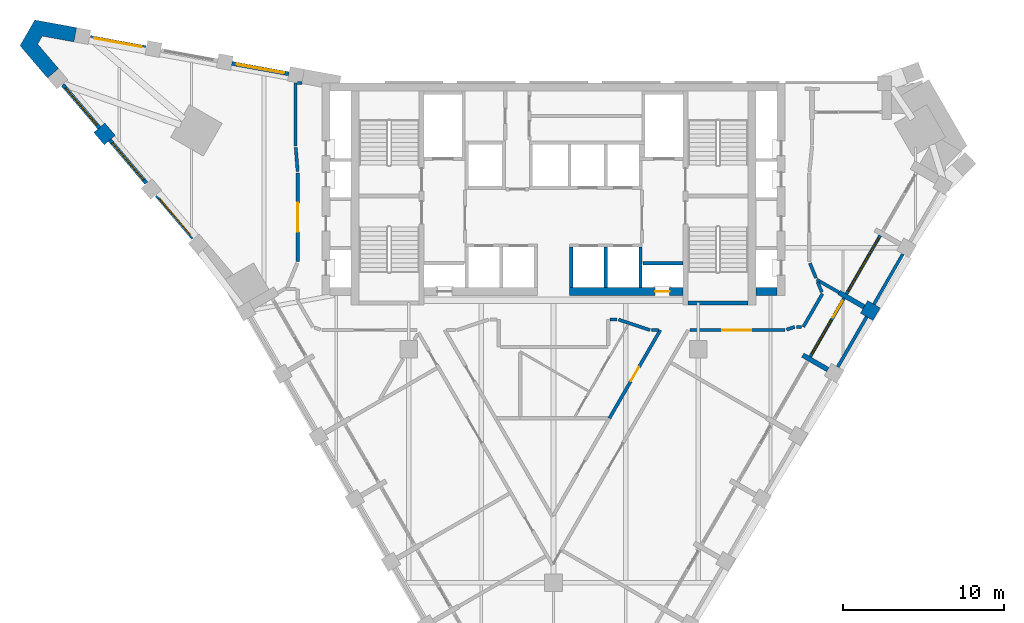
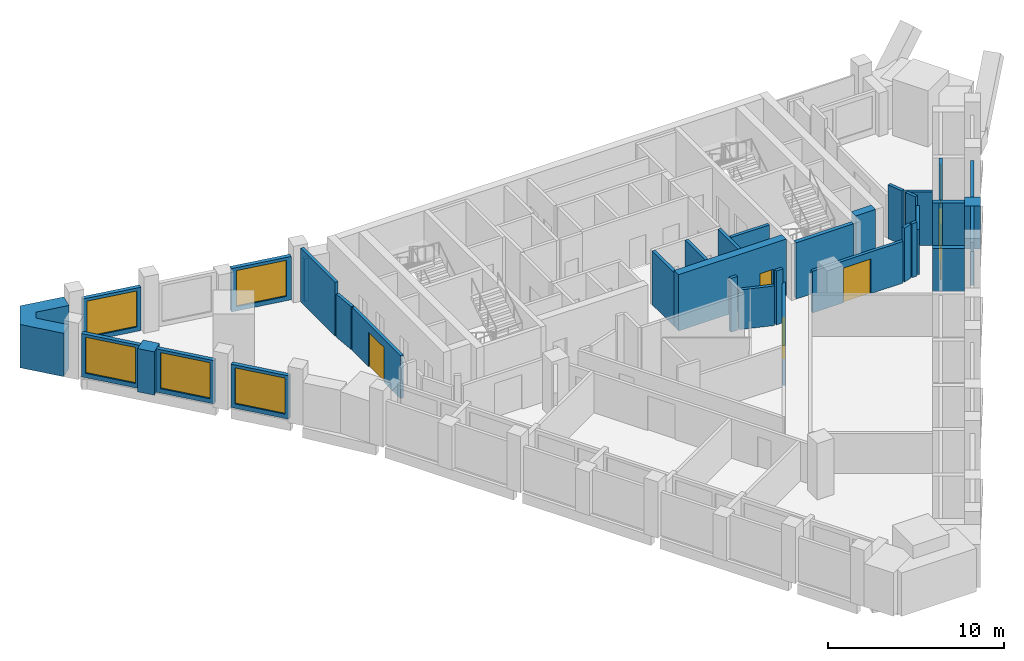
# One storey, part 5 of 9: 36 walls, 7 windows, 5 doors, 12 openings.
"""IFC4 building model written with IfcOpenShell, lengths in metres."""

from ifc_helpers import new_model, si_unit, direction, frame, frame_2d, origin, place, context, subcontext, project, spatial, polyline, rectangle, outline, extrude, material, layer, layer_set, type_object, element, fill, save


model = new_model("IFC4")

# Units and contexts
model_context = context("Model", 3, precision=1e-05, world=origin(), true_north=direction((0.0, 1.0)))
body_context = subcontext(model_context, "Body", "Model", "MODEL_VIEW")
ifc_project = project(units=[si_unit("LENGTHUNIT", "METRE"), si_unit("AREAUNIT", "SQUARE_METRE"), si_unit("VOLUMEUNIT", "CUBIC_METRE"), si_unit("PLANEANGLEUNIT", "RADIAN"), si_unit("MASSUNIT", "GRAM", prefix="KILO")], contexts=[model_context])

# Site, building, storey
site_placement = place(None, origin())
site = spatial("IfcSite", under=ifc_project, at=site_placement, CompositionType="ELEMENT")
building_placement = place(site_placement, origin())
building = spatial("IfcBuilding", under=site, at=building_placement, Name="Calabash Gate Tower", CompositionType="ELEMENT")
storey_placement = place(building_placement, frame((0.0, 0.0, 231.5)))
storey = spatial("IfcBuildingStorey", under=building, at=storey_placement, Name="L55", CompositionType="ELEMENT", Elevation=231.5)

# Walls
ifc_material_1 = material(Name="Terracotta brick masonry, exposed face", Category="masonry")
ifc_layer_1 = layer(ifc_material_1, 0.89990234375)
ifc_layer_set_1 = layer_set([ifc_layer_1], Name="Brick end wall 900")
wall_type_1 = type_object("IfcWallType", Name="Brick end wall 900", PredefinedType="SOLIDWALL", material=ifc_layer_set_1)
wall_1_placement = place(storey_placement, frame((19.306396484375, 5.14013671875, 0.0), z_axis=(0.0, 0.0, 1.0), x_axis=(0.865896406789, -0.500223362819, 0.0)))
element("IfcWall", 1, at=wall_1_placement, inside=storey, type_object=wall_type_1, Name="Brick pier S16 SE2.7", PredefinedType="SOLIDWALL", context=body_context, shape_type="SweptSolid", body=[
    extrude(rectangle(XDim=0.89990234375, YDim=0.89990234375, at=frame_2d((0.449951171875, 0.0))), origin(), (0.0, 0.0, 1.0), 3.0),
])
wall_2_placement = place(storey_placement, frame((-27.587890625, 15.511474609375, 0.0), z_axis=(0.0, 0.0, 1.0), x_axis=(-0.647641360564, 0.761945318305, 0.0)))
element("IfcWall", 2, at=wall_2_placement, inside=storey, type_object=wall_type_1, Name="Brick pier S16 wedge7.1", PredefinedType="SOLIDWALL", context=body_context, shape_type="SweptSolid", body=[
    extrude(rectangle(XDim=1.00390625, YDim=0.89990234375, at=frame_2d((0.501953125, 0.0))), origin(), (0.0, 0.0, 1.0), 3.0),
])
wall_3_placement = place(storey_placement, origin())
element("IfcWall", 3, at=wall_3_placement, inside=storey, type_object=wall_type_1, Name="Brick end wall S16 2", PredefinedType="SOLIDWALL", context=body_context, shape_type="SweptSolid", body=[
    extrude(outline(polyline([(-31.784423828125, 21.978759765625), (-29.816650390625, 21.618896484375), (-29.654541015625, 22.504150390625), (-32.24658203125, 22.978271484375), (-33.168701171875, 21.38134765625), (-31.4619140625, 19.373779296875), (-30.776123046875, 19.956787109375), (-32.072021484375, 21.48095703125), (-31.784423828125, 21.978759765625)])), origin(), (0.0, 0.0, 1.0), 3.0),
])
ifc_material_2 = material(Name="Terracotta brick masonry, exposed face", Category="masonry")
ifc_layer_2 = layer(ifc_material_2, 0.300048828125)
ifc_layer_set_2 = layer_set([ifc_layer_2], Name="Brick loggia cheek wall 300")
wall_type_2 = type_object("IfcWallType", Name="Brick loggia cheek wall 300", PredefinedType="SOLIDWALL", material=ifc_layer_set_2)
wall_4_placement = place(storey_placement, frame((17.05615234375, 1.242919921875, 0.0), z_axis=(0.0, 0.0, 1.0), x_axis=(-0.866013897511, 0.50001992892, 0.0)))
element("IfcWall", 4, at=wall_4_placement, inside=storey, type_object=wall_type_2, Name="Loggia cheek S16 SE2.6", PredefinedType="SOLIDWALL", context=body_context, shape_type="SweptSolid", body=[
    extrude(rectangle(XDim=1.7998046875, YDim=0.300048828125, at=frame_2d((0.89990234375, 0.0))), origin(), (0.0, 0.0, 1.0), 3.0),
])
wall_5_placement = place(storey_placement, frame((19.306396484375, 5.14013671875, 0.0), z_axis=(0.0, 0.0, 1.0), x_axis=(-0.866047807691, 0.499961193289, 0.0)))
element("IfcWall", 5, at=wall_5_placement, inside=storey, type_object=wall_type_2, Name="Loggia cheek S16 SE2.7", PredefinedType="SOLIDWALL", context=body_context, shape_type="SweptSolid", body=[
    extrude(rectangle(XDim=1.800048828125, YDim=0.300048828125, at=frame_2d((0.89990234375, 0.0))), origin(), (0.0, 0.0, 1.0), 3.0),
])
ifc_material_3 = material(Name="Concrete C70/85", Category="concrete")
ifc_layer_3 = layer(ifc_material_3, 0.25)
ifc_layer_set_3 = layer_set([ifc_layer_3], Name="Core wall 250 Concrete C70/85")
wall_type_3 = type_object("IfcWallType", Name="Core wall 250 Concrete C70/85", PredefinedType="SHEAR", material=ifc_layer_set_3)
wall_6_placement = place(storey_placement, frame((8.35009765625, 5.377685546875, 0.0), z_axis=(0.0, 0.0, 1.0), x_axis=(1.0, 0.0, 0.0)))
element("IfcWall", 6, at=wall_6_placement, inside=storey, type_object=wall_type_3, Name="Core wall Z4-SSE L55", PredefinedType="SHEAR", context=body_context, shape_type="SweptSolid", body=[
    extrude(rectangle(XDim=3.75, YDim=0.25, at=frame_2d((1.875, 0.0))), origin(), (0.0, 0.0, 1.0), 3.89990234375),
])

# Wall, opening, door
ifc_material_4 = material(Name="Concrete C70/85", Category="concrete")
ifc_layer_4 = layer(ifc_material_4, 0.5)
ifc_layer_set_4 = layer_set([ifc_layer_4], Name="Core wall 500 Concrete C70/85")
wall_type_4 = type_object("IfcWallType", Name="Core wall 500 Concrete C70/85", PredefinedType="SHEAR", material=ifc_layer_set_4)
wall_7_placement = place(storey_placement, frame((1.0, 6.1025390625, 0.0), z_axis=(0.0, 0.0, 1.0), x_axis=(1.0, 0.0, 0.0)))
wall_7 = element("IfcWall", 7, at=wall_7_placement, inside=storey, type_object=wall_type_4, Name="Core wall Z4-SB L55", PredefinedType="SHEAR", context=body_context, shape_type="SweptSolid", body=[
    extrude(rectangle(XDim=7.050048828125, YDim=0.5, at=frame_2d((3.52490234375, 0.0))), origin(), (0.0, 0.0, 1.0), 3.89990234375),
])
opening_1_placement = place(wall_7_placement, frame((5.324951171875, 0.0, 0.0)))
opening_1 = element("IfcOpeningElement", 8, at=opening_1_placement, cuts=wall_7, Name="Opening O8-015", PredefinedType="OPENING", context=body_context, shape_type="SweptSolid", body=[
    extrude(rectangle(XDim=0.89990234375, YDim=2.10009765625, at=frame_2d((0.449951171875, 1.050048828125))), frame((0.0, 0.260009765625, 0.0), z_axis=(0.0, -1.0, 0.0), x_axis=(1.0, 0.0, 0.0)), (0.0, 0.0, 1.0), 0.52001953125),
])
ifc_material_5 = material(Name="Steel fire door set with fire-resisting glazing", Category="steel")
door_type_1 = type_object("IfcDoorType", Name="Fire door D07 900x2100 FD90", OperationType="NOTDEFINED", PredefinedType="DOOR", material=ifc_material_5)
door_1_placement = place(opening_1_placement, origin())
door_1 = element("IfcDoor", 9, at=door_1_placement, inside=storey, type_object=door_type_1, Name="Mechanical Riser E door", OperationType="SINGLE_SWING_RIGHT", OverallHeight=2.10009765625, OverallWidth=0.89990234375, PredefinedType="DOOR", context=body_context, shape_type="SweptSolid", body=[
    extrude(rectangle(XDim=0.89990234375, YDim=2.10009765625, at=frame_2d((0.449951171875, 1.050048828125))), frame((0.0, 0.02490234375, 0.0), z_axis=(0.0, -1.0, 0.0), x_axis=(1.0, 0.0, 0.0)), (0.0, 0.0, 1.0), 0.050048828125),
])
fill(opening_1, door_1)

# Wall
wall_8_placement = place(storey_placement, frame((12.60009765625, 6.1025390625, 0.0), z_axis=(0.0, 0.0, 1.0), x_axis=(1.0, 0.0, 0.0)))
element("IfcWall", 10, at=wall_8_placement, inside=storey, type_object=wall_type_4, Name="Core wall Z4-SE L55", PredefinedType="SHEAR", context=body_context, shape_type="SweptSolid", body=[
    extrude(rectangle(XDim=1.2998046875, YDim=0.5, at=frame_2d((0.64990234375, 0.0))), origin(), (0.0, 0.0, 1.0), 3.89990234375),
])

# Wall, opening, door
ifc_material_6 = material(Name="Gypsum board on steel studs, mineral wool", Category="steel")
ifc_layer_5 = layer(ifc_material_6, 0.199951171875)
ifc_layer_set_5 = layer_set([ifc_layer_5], Name="Partition 200 gypsum board EI 60")
wall_type_5 = type_object("IfcWallType", Name="Partition 200 gypsum board EI 60", PredefinedType="PARTITIONING", material=ifc_layer_set_5)
wall_9_placement = place(storey_placement, frame((3.476318359375, -1.77783203125, 0.0), z_axis=(0.0, 0.0, 1.0), x_axis=(0.500016482634, 0.866015887322, 0.0)))
wall_9 = element("IfcWall", 11, at=wall_9_placement, inside=storey, type_object=wall_type_5, Name="Partition", PredefinedType="PARTITIONING", context=body_context, shape_type="SweptSolid", body=[
    extrude(rectangle(XDim=6.324951171875, YDim=0.199951171875, at=frame_2d((3.16259765625, 0.0))), origin(), (0.0, 0.0, 1.0), 2.74169921875),
])
opening_2_placement = place(wall_9_placement, frame((2.66259765625, 0.0, 0.0)))
opening_2 = element("IfcOpeningElement", 12, at=opening_2_placement, cuts=wall_9, Name="Opening 55-57-012", PredefinedType="OPENING", context=body_context, shape_type="SweptSolid", body=[
    extrude(rectangle(XDim=1.0, YDim=2.10009765625, at=frame_2d((0.5, 1.050048828125))), frame((0.0, 0.10986328125, 0.0), z_axis=(0.0, -1.0, 0.0), x_axis=(1.0, 0.0, 0.0)), (0.0, 0.0, 1.0), 0.219970703125),
])
ifc_material_7 = material(Name="Steel fire door set with fire-resisting glazing", Category="steel")
door_type_2 = type_object("IfcDoorType", Name="WD3 WC lobby door 1000x2100", OperationType="NOTDEFINED", PredefinedType="DOOR", material=ifc_material_7)
door_2_placement = place(opening_2_placement, origin())
door_2 = element("IfcDoor", 13, at=door_2_placement, inside=storey, type_object=door_type_2, Name="WC lobby door", OperationType="SINGLE_SWING_LEFT", OverallHeight=2.10009765625, OverallWidth=1.0, PredefinedType="DOOR", context=body_context, shape_type="SweptSolid", body=[
    extrude(rectangle(XDim=1.0, YDim=2.10009765625, at=frame_2d((0.5, 1.050048828125))), frame((0.0, 0.02490234375, 0.0), z_axis=(0.0, -1.0, 0.0), x_axis=(1.0, 0.0, 0.0)), (0.0, 0.0, 1.0), 0.050048828125),
])
fill(opening_2, door_2)

# Walls
wall_10_placement = place(storey_placement, frame((4.04150390625, 4.349853515625, 0.0), z_axis=(0.0, 0.0, 1.0), x_axis=(0.949072993984, -0.315056268135, 0.0)))
element("IfcWall", 14, at=wall_10_placement, inside=storey, type_object=wall_type_5, Name="Partition", PredefinedType="PARTITIONING", context=body_context, shape_type="SweptSolid", body=[
    extrude(rectangle(XDim=2.0634765625, YDim=0.199951171875, at=frame_2d((1.03173828125, 0.0))), origin(), (0.0, 0.0, 1.0), 2.74169921875),
])
wall_11_placement = place(storey_placement, frame((6.10009765625, 3.69970703125, 0.0), z_axis=(0.0, 0.0, 1.0), x_axis=(1.0, 0.0, 0.0)))
element("IfcWall", 15, at=wall_11_placement, inside=storey, type_object=wall_type_5, Name="Partition", PredefinedType="PARTITIONING", context=body_context, shape_type="SweptSolid", body=[
    extrude(rectangle(XDim=0.438720703125, YDim=0.199951171875, at=frame_2d((0.21923828125, 0.0))), origin(), (0.0, 0.0, 1.0), 3.72998046875),
])

# Wall, opening, door
wall_12_placement = place(storey_placement, frame((8.4716796875, 3.699462890625, 0.0), z_axis=(0.0, 0.0, 1.0), x_axis=(1.0, 0.0, 0.0)))
wall_12 = element("IfcWall", 16, at=wall_12_placement, inside=storey, type_object=wall_type_5, Name="Partition", PredefinedType="PARTITIONING", context=body_context, shape_type="SweptSolid", body=[
    extrude(rectangle(XDim=5.92822265625, YDim=0.199951171875, at=frame_2d((2.964111328125, 0.0))), origin(), (0.0, 0.0, 1.0), 2.884033203125),
])
opening_3_placement = place(wall_12_placement, frame((2.01416015625, 0.0, 0.0)))
opening_3 = element("IfcOpeningElement", 17, at=opening_3_placement, cuts=wall_12, Name="Opening 55-57-010", PredefinedType="OPENING", context=body_context, shape_type="SweptSolid", body=[
    extrude(rectangle(XDim=1.800048828125, YDim=2.39990234375, at=frame_2d((0.89990234375, 1.199951171875))), frame((0.0, 0.10986328125, 0.0), z_axis=(0.0, -1.0, 0.0), x_axis=(1.0, 0.0, 0.0)), (0.0, 0.0, 1.0), 0.219970703125),
])
ifc_material_8 = material(Name="Steel fire door set with fire-resisting glazing", Category="steel")
door_type_3 = type_object("IfcDoorType", Name="TD1 Tenancy entrance double door 1800x2400", OperationType="NOTDEFINED", PredefinedType="DOOR", material=ifc_material_8)
door_3_placement = place(opening_3_placement, origin())
door_3 = element("IfcDoor", 18, at=door_3_placement, inside=storey, type_object=door_type_3, Name="Tenancy entrance double door", OperationType="DOUBLE_DOOR_SINGLE_SWING", OverallHeight=2.39990234375, OverallWidth=1.800048828125, PredefinedType="DOOR", context=body_context, shape_type="SweptSolid", body=[
    extrude(rectangle(XDim=1.800048828125, YDim=2.39990234375, at=frame_2d((0.89990234375, 1.199951171875))), frame((0.0, 0.02490234375, 0.0), z_axis=(0.0, -1.0, 0.0), x_axis=(1.0, 0.0, 0.0)), (0.0, 0.0, 1.0), 0.050048828125),
])
fill(opening_3, door_3)

# Walls
wall_13_placement = place(storey_placement, frame((14.494873046875, 3.731201171875, 0.0), z_axis=(0.0, 0.0, 1.0), x_axis=(0.948774971537, 0.315952612561, 0.0)))
element("IfcWall", 19, at=wall_13_placement, inside=storey, type_object=wall_type_5, Name="Partition", PredefinedType="PARTITIONING", context=body_context, shape_type="SweptSolid", body=[
    extrude(rectangle(XDim=0.532470703125, YDim=0.199951171875, at=frame_2d((0.26611328125, 0.0))), origin(), (0.0, 0.0, 1.0), 3.72998046875),
])
wall_14_placement = place(storey_placement, frame((15.10009765625, 3.8994140625, 0.0), z_axis=(0.0, 0.0, 1.0), x_axis=(0.99999972727, 0.000738552236, 0.0)))
element("IfcWall", 20, at=wall_14_placement, inside=storey, type_object=wall_type_5, Name="Partition", PredefinedType="PARTITIONING", context=body_context, shape_type="SweptSolid", body=[
    extrude(rectangle(XDim=0.33056640625, YDim=0.199951171875, at=frame_2d((0.165283203125, 0.0))), origin(), (0.0, 0.0, 1.0), 3.72998046875),
])
wall_15_placement = place(storey_placement, frame((15.530517578125, 3.899658203125, 0.0), z_axis=(0.0, 0.0, 1.0), x_axis=(0.500122053881, 0.865954924474, 0.0)))
element("IfcWall", 21, at=wall_15_placement, inside=storey, type_object=wall_type_5, Name="Partition", PredefinedType="PARTITIONING", context=body_context, shape_type="SweptSolid", body=[
    extrude(rectangle(XDim=2.3798828125, YDim=0.199951171875, at=frame_2d((1.18994140625, 0.0))), origin(), (0.0, 0.0, 1.0), 3.1279296875),
])
wall_16_placement = place(storey_placement, frame((3.501953125, 4.350830078125, 0.0), z_axis=(0.0, 0.0, 1.0), x_axis=(0.999996159087, 0.00277160798, 0.0)))
element("IfcWall", 22, at=wall_16_placement, inside=storey, type_object=wall_type_5, Name="Partition", PredefinedType="PARTITIONING", context=body_context, shape_type="SweptSolid", body=[
    extrude(rectangle(XDim=0.4404296875, YDim=0.199951171875, at=frame_2d((0.22021484375, 0.0))), origin(), (0.0, 0.0, 1.0), 3.72998046875),
])
wall_17_placement = place(storey_placement, frame((16.4228515625, 6.687255859375, 0.0), z_axis=(0.0, 0.0, 1.0), x_axis=(0.37899342687, -0.925399363729, 0.0)))
element("IfcWall", 23, at=wall_17_placement, inside=storey, type_object=wall_type_5, Name="Partition", PredefinedType="PARTITIONING", context=body_context, shape_type="SweptSolid", body=[
    extrude(rectangle(XDim=0.685302734375, YDim=0.199951171875, at=frame_2d((0.3427734375, 0.0))), origin(), (0.0, 0.0, 1.0), 3.72998046875),
])
wall_18_placement = place(storey_placement, frame((16.35888671875, 6.83935546875, 0.0), z_axis=(0.0, 0.0, 1.0), x_axis=(0.866578526371, -0.499040737448, 0.0)))
element("IfcWall", 24, at=wall_18_placement, inside=storey, type_object=wall_type_5, Name="Partition", PredefinedType="PARTITIONING", context=body_context, shape_type="SweptSolid", body=[
    extrude(rectangle(XDim=1.602294921875, YDim=0.199951171875, at=frame_2d((0.80126953125, 0.0))), origin(), (0.0, 0.0, 1.0), 3.72998046875),
])
wall_19_placement = place(storey_placement, frame((15.938720703125, 7.860107421875, 0.0), z_axis=(0.0, 0.0, 1.0), x_axis=(0.38186417336, -0.924218455293, 0.0)))
element("IfcWall", 25, at=wall_19_placement, inside=storey, type_object=wall_type_5, Name="Partition", PredefinedType="PARTITIONING", context=body_context, shape_type="SweptSolid", body=[
    extrude(rectangle(XDim=1.00244140625, YDim=0.199951171875, at=frame_2d((0.501220703125, 0.0))), origin(), (0.0, 0.0, 1.0), 3.72998046875),
])

# Wall, opening, door
wall_20_placement = place(storey_placement, frame((-15.900390625, 7.95263671875, 0.0), z_axis=(0.0, 0.0, 1.0), x_axis=(0.0, 1.0, 0.0)))
wall_20 = element("IfcWall", 26, at=wall_20_placement, inside=storey, type_object=wall_type_5, Name="Partition", PredefinedType="PARTITIONING", context=body_context, shape_type="SweptSolid", body=[
    extrude(rectangle(XDim=5.499755859375, YDim=0.199951171875, at=frame_2d((2.75, 0.0))), origin(), (0.0, 0.0, 1.0), 2.9736328125),
])
opening_4_placement = place(wall_20_placement, frame((1.849853515625, 0.0, 0.0)))
opening_4 = element("IfcOpeningElement", 27, at=opening_4_placement, cuts=wall_20, Name="Opening 55-57-006", PredefinedType="OPENING", context=body_context, shape_type="SweptSolid", body=[
    extrude(rectangle(XDim=1.800048828125, YDim=2.39990234375, at=frame_2d((0.89990234375, 1.199951171875))), frame((0.0, 0.10986328125, 0.0), z_axis=(0.0, -1.0, 0.0), x_axis=(1.0, 0.0, 0.0)), (0.0, 0.0, 1.0), 0.219970703125),
])
door_4_placement = place(opening_4_placement, origin())
door_4 = element("IfcDoor", 28, at=door_4_placement, inside=storey, type_object=door_type_3, Name="Tenancy entrance double door", OperationType="DOUBLE_DOOR_SINGLE_SWING", OverallHeight=2.39990234375, OverallWidth=1.800048828125, PredefinedType="DOOR", context=body_context, shape_type="SweptSolid", body=[
    extrude(rectangle(XDim=1.800048828125, YDim=2.39990234375, at=frame_2d((0.89990234375, 1.199951171875))), frame((0.0, 0.02490234375, 0.0), z_axis=(0.0, -1.0, 0.0), x_axis=(1.0, 0.0, 0.0)), (0.0, 0.0, 1.0), 0.050048828125),
])
fill(opening_4, door_4)

# Walls
wall_21_placement = place(storey_placement, frame((-16.024169921875, 15.052978515625, 0.0), z_axis=(0.0, 0.0, 1.0), x_axis=(0.07704378759, -0.997027710143, 0.0)))
element("IfcWall", 29, at=wall_21_placement, inside=storey, type_object=wall_type_5, Name="Partition", PredefinedType="PARTITIONING", context=body_context, shape_type="SweptSolid", body=[
    extrude(rectangle(XDim=1.505126953125, YDim=0.199951171875, at=frame_2d((0.75244140625, 0.0))), origin(), (0.0, 0.0, 1.0), 2.9736328125),
])
wall_22_placement = place(storey_placement, frame((-16.031982421875, 15.152587890625, 0.0), z_axis=(0.0, 0.0, 1.0), x_axis=(0.0, 1.0, 0.0)))
element("IfcWall", 30, at=wall_22_placement, inside=storey, type_object=wall_type_5, Name="Partition", PredefinedType="PARTITIONING", context=body_context, shape_type="SweptSolid", body=[
    extrude(rectangle(XDim=3.900146484375, YDim=0.199951171875, at=frame_2d((1.9501953125, 0.0))), origin(), (0.0, 0.0, 1.0), 3.72998046875),
])
wall_23_placement = place(storey_placement, frame((-15.931884765625, 19.052734375, 0.0), z_axis=(0.0, 0.0, 1.0), x_axis=(1.0, 0.0, 0.0)))
element("IfcWall", 31, at=wall_23_placement, inside=storey, type_object=wall_type_5, Name="Partition", PredefinedType="PARTITIONING", context=body_context, shape_type="SweptSolid", body=[
    extrude(rectangle(XDim=0.28515625, YDim=0.199951171875, at=frame_2d((0.142578125, 0.0))), origin(), (0.0, 0.0, 1.0), 2.9736328125),
])

# Wall, opening, window
ifc_material_9 = material(Name="Aluminium framed window wall with insulated spandrel", Category="aluminium")
ifc_layer_6 = layer(ifc_material_9, 0.25)
ifc_layer_set_6 = layer_set([ifc_layer_6], Name="Prow window wall 250")
wall_type_6 = type_object("IfcWallType", Name="Prow window wall 250", PredefinedType="ELEMENTEDWALL", material=ifc_layer_set_6)
wall_24_placement = place(storey_placement, frame((-16.4560546875, 19.631591796875, 0.0), z_axis=(0.0, 0.0, 1.0), x_axis=(-0.983669647318, 0.17998340186, 0.0)))
wall_24 = element("IfcWall", 32, at=wall_24_placement, inside=storey, type_object=wall_type_6, Name="Prow window wall S16 wedge5.1", PredefinedType="ELEMENTEDWALL", context=body_context, shape_type="SweptSolid", body=[
    extrude(rectangle(XDim=3.60009765625, YDim=0.25, at=frame_2d((1.800048828125, 0.0))), origin(), (0.0, 0.0, 1.0), 3.0),
])
opening_5_placement = place(wall_24_placement, frame((0.300048828125, 0.0, 0.300048828125)))
opening_5 = element("IfcOpeningElement", 33, at=opening_5_placement, cuts=wall_24, Name="Opening WP2", PredefinedType="OPENING", context=body_context, shape_type="SweptSolid", body=[
    extrude(rectangle(XDim=3.0, YDim=2.5, at=frame_2d((1.5, 1.25))), frame((0.0, 0.135009765625, 0.0), z_axis=(0.0, -1.0, 0.0), x_axis=(1.0, 0.0, 0.0)), (0.0, 0.0, 1.0), 0.27001953125),
])
ifc_material_10 = material(Name="Anodised aluminium frame, bronze finish, impact-rated laminated clear glazing", Category="aluminium")
window_type_1 = type_object("IfcWindowType", Name="Window WP2 3000x2500", PartitioningType="DOUBLE_PANEL_VERTICAL", PredefinedType="WINDOW", material=ifc_material_10)
window_1_placement = place(opening_5_placement, origin())
window_1 = element("IfcWindow", 34, at=window_1_placement, inside=storey, type_object=window_type_1, Name="Prow window WP2 S16 wedge5.1", OverallHeight=2.5, OverallWidth=3.0, PartitioningType="SINGLE_PANEL", PredefinedType="WINDOW", context=body_context, shape_type="SweptSolid", body=[
    extrude(rectangle(XDim=3.0, YDim=2.5, at=frame_2d((1.5, 1.25))), frame((0.0, 0.030029296875, 0.0), z_axis=(0.0, -1.0, 0.0), x_axis=(1.0, 0.0, 0.0)), (0.0, 0.0, 1.0), 0.06005859375),
])
fill(opening_5, window_1)

wall_25_placement = place(storey_placement, frame((-25.3583984375, 21.260498046875, 0.0), z_axis=(0.0, 0.0, 1.0), x_axis=(-0.983672889292, 0.179965682483, 0.0)))
wall_25 = element("IfcWall", 35, at=wall_25_placement, inside=storey, type_object=wall_type_6, Name="Prow window wall S16 wedge5.3", PredefinedType="ELEMENTEDWALL", context=body_context, shape_type="SweptSolid", body=[
    extrude(rectangle(XDim=3.5, YDim=0.25, at=frame_2d((1.75, 0.0))), origin(), (0.0, 0.0, 1.0), 3.0),
])
opening_6_placement = place(wall_25_placement, frame((0.25, 0.0, 0.300048828125)))
opening_6 = element("IfcOpeningElement", 36, at=opening_6_placement, cuts=wall_25, Name="Opening WP2", PredefinedType="OPENING", context=body_context, shape_type="SweptSolid", body=[
    extrude(rectangle(XDim=3.0, YDim=2.5, at=frame_2d((1.5, 1.25))), frame((0.0, 0.135009765625, 0.0), z_axis=(0.0, -1.0, 0.0), x_axis=(1.0, 0.0, 0.0)), (0.0, 0.0, 1.0), 0.27001953125),
])
window_2_placement = place(opening_6_placement, origin())
window_2 = element("IfcWindow", 37, at=window_2_placement, inside=storey, type_object=window_type_1, Name="Prow window WP2 S16 wedge5.3", OverallHeight=2.5, OverallWidth=3.0, PartitioningType="SINGLE_PANEL", PredefinedType="WINDOW", context=body_context, shape_type="SweptSolid", body=[
    extrude(rectangle(XDim=3.0, YDim=2.5, at=frame_2d((1.5, 1.25))), frame((0.0, 0.030029296875, 0.0), z_axis=(0.0, -1.0, 0.0), x_axis=(1.0, 0.0, 0.0)), (0.0, 0.0, 1.0), 0.06005859375),
])
fill(opening_6, window_2)

wall_26_placement = place(storey_placement, frame((-30.503662109375, 18.94140625, 0.0), z_axis=(0.0, 0.0, 1.0), x_axis=(0.647701065937, -0.761894565661, 0.0)))
wall_26 = element("IfcWall", 38, at=wall_26_placement, inside=storey, type_object=wall_type_6, Name="Prow window wall S16 wedge7.1", PredefinedType="ELEMENTEDWALL", context=body_context, shape_type="SweptSolid", body=[
    extrude(rectangle(XDim=3.499755859375, YDim=0.25, at=frame_2d((1.75, 0.0))), origin(), (0.0, 0.0, 1.0), 3.0),
])
opening_7_placement = place(wall_26_placement, frame((0.25, 0.0, 0.300048828125)))
opening_7 = element("IfcOpeningElement", 39, at=opening_7_placement, cuts=wall_26, Name="Opening WP2", PredefinedType="OPENING", context=body_context, shape_type="SweptSolid", body=[
    extrude(rectangle(XDim=3.0, YDim=2.5, at=frame_2d((1.5, 1.25))), frame((0.0, 0.135009765625, 0.0), z_axis=(0.0, -1.0, 0.0), x_axis=(1.0, 0.0, 0.0)), (0.0, 0.0, 1.0), 0.27001953125),
])
window_3_placement = place(opening_7_placement, origin())
window_3 = element("IfcWindow", 40, at=window_3_placement, inside=storey, type_object=window_type_1, Name="Prow window WP2 S16 wedge7.1", OverallHeight=2.5, OverallWidth=3.0, PartitioningType="SINGLE_PANEL", PredefinedType="WINDOW", context=body_context, shape_type="SweptSolid", body=[
    extrude(rectangle(XDim=3.0, YDim=2.5, at=frame_2d((1.5, 1.25))), frame((0.0, 0.030029296875, 0.0), z_axis=(0.0, -1.0, 0.0), x_axis=(1.0, 0.0, 0.0)), (0.0, 0.0, 1.0), 0.06005859375),
])
fill(opening_7, window_3)

wall_27_placement = place(storey_placement, frame((-27.589111328125, 15.512939453125, 0.0), z_axis=(0.0, 0.0, 1.0), x_axis=(0.647741556426, -0.761860142073, 0.0)))
wall_27 = element("IfcWall", 41, at=wall_27_placement, inside=storey, type_object=wall_type_6, Name="Prow window wall S16 wedge7.2", PredefinedType="ELEMENTEDWALL", context=body_context, shape_type="SweptSolid", body=[
    extrude(rectangle(XDim=3.5, YDim=0.25, at=frame_2d((1.75, 0.0))), origin(), (0.0, 0.0, 1.0), 3.0),
])
opening_8_placement = place(wall_27_placement, frame((0.25, 0.0, 0.300048828125)))
opening_8 = element("IfcOpeningElement", 42, at=opening_8_placement, cuts=wall_27, Name="Opening WP2", PredefinedType="OPENING", context=body_context, shape_type="SweptSolid", body=[
    extrude(rectangle(XDim=3.0, YDim=2.5, at=frame_2d((1.5, 1.25))), frame((0.0, 0.135009765625, 0.0), z_axis=(0.0, -1.0, 0.0), x_axis=(1.0, 0.0, 0.0)), (0.0, 0.0, 1.0), 0.27001953125),
])
window_4_placement = place(opening_8_placement, origin())
window_4 = element("IfcWindow", 43, at=window_4_placement, inside=storey, type_object=window_type_1, Name="Prow window WP2 S16 wedge7.2", OverallHeight=2.5, OverallWidth=3.0, PartitioningType="SINGLE_PANEL", PredefinedType="WINDOW", context=body_context, shape_type="SweptSolid", body=[
    extrude(rectangle(XDim=3.0, YDim=2.5, at=frame_2d((1.5, 1.25))), frame((0.0, 0.030029296875, 0.0), z_axis=(0.0, -1.0, 0.0), x_axis=(1.0, 0.0, 0.0)), (0.0, 0.0, 1.0), 0.06005859375),
])
fill(opening_8, window_4)

wall_28_placement = place(storey_placement, frame((-24.67431640625, 12.08447265625, 0.0), z_axis=(0.0, 0.0, 1.0), x_axis=(0.647701065937, -0.761894565661, 0.0)))
wall_28 = element("IfcWall", 44, at=wall_28_placement, inside=storey, type_object=wall_type_6, Name="Prow window wall S16 wedge7.3", PredefinedType="ELEMENTEDWALL", context=body_context, shape_type="SweptSolid", body=[
    extrude(rectangle(XDim=3.499755859375, YDim=0.25, at=frame_2d((1.75, 0.0))), origin(), (0.0, 0.0, 1.0), 3.0),
])
opening_9_placement = place(wall_28_placement, frame((0.25, 0.0, 0.300048828125)))
opening_9 = element("IfcOpeningElement", 45, at=opening_9_placement, cuts=wall_28, Name="Opening WP2", PredefinedType="OPENING", context=body_context, shape_type="SweptSolid", body=[
    extrude(rectangle(XDim=3.0, YDim=2.5, at=frame_2d((1.5, 1.25))), frame((0.0, 0.135009765625, 0.0), z_axis=(0.0, -1.0, 0.0), x_axis=(1.0, 0.0, 0.0)), (0.0, 0.0, 1.0), 0.27001953125),
])
window_5_placement = place(opening_9_placement, origin())
window_5 = element("IfcWindow", 46, at=window_5_placement, inside=storey, type_object=window_type_1, Name="Prow window WP2 S16 wedge7.3", OverallHeight=2.5, OverallWidth=3.0, PartitioningType="SINGLE_PANEL", PredefinedType="WINDOW", context=body_context, shape_type="SweptSolid", body=[
    extrude(rectangle(XDim=3.0, YDim=2.5, at=frame_2d((1.5, 1.25))), frame((0.0, 0.030029296875, 0.0), z_axis=(0.0, -1.0, 0.0), x_axis=(1.0, 0.0, 0.0)), (0.0, 0.0, 1.0), 0.06005859375),
])
fill(opening_9, window_5)

# Walls
ifc_material_11 = material(Name="Concrete C40/50", Category="concrete")
ifc_layer_7 = layer(ifc_material_11, 0.199951171875)
ifc_layer_set_7 = layer_set([ifc_layer_7], Name="Shaft wall 200 Concrete C40/50")
wall_type_7 = type_object("IfcWallType", Name="Shaft wall 200 Concrete C40/50", PredefinedType="SOLIDWALL", material=ifc_layer_set_7)
for number, where, z_axis, x_axis, name in (
    (47, (1.10009765625, 6.3525390625, 0.0), (0.0, 0.0, 1.0), (0.0, 1.0, 0.0), "Shaft wall"),
    (48, (3.25, 6.3525390625, 0.0), (0.0, 0.0, 1.0), (0.0, 1.0, 0.0), "Shaft wall"),
    (49, (5.39990234375, 6.3525390625, 0.0), (0.0, 0.0, 1.0), (0.0, 1.0, 0.0), "Shaft wall"),
    (50, (5.550048828125, 7.8525390625, 0.0), (0.0, 0.0, 1.0), (1.0, 0.0, 0.0), "Shaft wall"),
):
    element("IfcWall", number, at=place(storey_placement, frame(where, z_axis=z_axis, x_axis=x_axis)), inside=storey, type_object=wall_type_7, Name=name, PredefinedType="SOLIDWALL", context=body_context, shape_type="SweptSolid", body=[
        extrude(rectangle(XDim=2.5, YDim=0.199951171875, at=frame_2d((1.25, 0.0))), origin(), (0.0, 0.0, 1.0), 3.72998046875),
    ])
ifc_material_12 = material(Name="Terracotta brick masonry, perforated", Category="masonry")
ifc_layer_8 = layer(ifc_material_12, 0.199951171875)
ifc_layer_set_8 = layer_set([ifc_layer_8], Name="Terracotta jaali screen B")
wall_type_8 = type_object("IfcWallType", Name="Terracotta jaali screen B", PredefinedType="SOLIDWALL", material=ifc_layer_set_8)
for number, where, z_axis, x_axis, name in (
    (51, (17.6708984375, 1.40771484375, 0.0), (0.0, 0.0, 1.0), (0.500012057535, 0.866018442252, 0.0), "SCREEN B S16 SE2.7"),
    (52, (19.9208984375, 5.3046875, 0.0), (0.0, 0.0, 1.0), (0.500012057535, 0.866018442252, 0.0), "SCREEN B S16 SE2.8"),
):
    element("IfcWall", number, at=place(storey_placement, frame(where, z_axis=z_axis, x_axis=x_axis)), inside=storey, type_object=wall_type_8, Name=name, PredefinedType="SOLIDWALL", context=body_context, shape_type="SweptSolid", body=[
        extrude(rectangle(XDim=3.60009765625, YDim=0.199951171875, at=frame_2d((1.800048828125, 0.0))), origin(), (0.0, 0.0, 1.0), 3.0),
    ])

# Wall, openings, door, window
ifc_material_13 = material(Name="Aluminium framed window wall with insulated spandrel", Category="aluminium")
ifc_layer_9 = layer(ifc_material_13, 0.199951171875)
ifc_layer_set_9 = layer_set([ifc_layer_9], Name="Window wall 200")
wall_type_9 = type_object("IfcWallType", Name="Window wall 200", PredefinedType="ELEMENTEDWALL", material=ifc_layer_set_9)
wall_29_placement = place(storey_placement, frame((15.962158203125, 2.0478515625, 0.0), z_axis=(0.0, 0.0, 1.0), x_axis=(0.500027713859, 0.866009402589, 0.0)))
wall_29 = element("IfcWall", 53, at=wall_29_placement, inside=storey, type_object=wall_type_9, Name="Window wall S16 SE2.7", PredefinedType="ELEMENTEDWALL", context=body_context, shape_type="SweptSolid", body=[
    extrude(rectangle(XDim=4.199951171875, YDim=0.199951171875, at=frame_2d((2.10009765625, 0.0))), origin(), (0.0, 0.0, 1.0), 3.0),
])
opening_10_placement = place(wall_29_placement, frame((0.199951171875, 0.0, 0.449951171875)))
opening_10 = element("IfcOpeningElement", 54, at=opening_10_placement, cuts=wall_29, Name="Opening OW1", PredefinedType="OPENING", context=body_context, shape_type="SweptSolid", body=[
    extrude(rectangle(XDim=2.39990234375, YDim=2.25, at=frame_2d((1.199951171875, 1.125))), frame((0.0, 0.10986328125, 0.0), z_axis=(0.0, -1.0, 0.0), x_axis=(1.0, 0.0, 0.0)), (0.0, 0.0, 1.0), 0.219970703125),
])
opening_11_placement = place(wall_29_placement, frame((2.800048828125, 0.0, 0.0)))
opening_11 = element("IfcOpeningElement", 55, at=opening_11_placement, cuts=wall_29, Name="Opening O8-024", PredefinedType="OPENING", context=body_context, shape_type="SweptSolid", body=[
    extrude(rectangle(XDim=1.199951171875, YDim=2.699951171875, at=frame_2d((0.60009765625, 1.35009765625))), frame((0.0, 0.10986328125, 0.0), z_axis=(0.0, -1.0, 0.0), x_axis=(1.0, 0.0, 0.0)), (0.0, 0.0, 1.0), 0.219970703125),
])
ifc_material_14 = material(Name="Anodised aluminium frame, bronze finish, impact-rated laminated clear glazing", Category="aluminium")
door_type_4 = type_object("IfcDoorType", Name="Loggia door DO1 1200x2700", OperationType="SLIDING_TO_LEFT", PredefinedType="DOOR", material=ifc_material_14)
door_5_placement = place(opening_11_placement, origin())
door_5 = element("IfcDoor", 56, at=door_5_placement, inside=storey, type_object=door_type_4, Name="Loggia door S16 SE2.7", OperationType="SINGLE_SWING_LEFT", OverallHeight=2.699951171875, OverallWidth=1.199951171875, PredefinedType="DOOR", context=body_context, shape_type="SweptSolid", body=[
    extrude(rectangle(XDim=1.199951171875, YDim=2.699951171875, at=frame_2d((0.60009765625, 1.35009765625))), frame((0.0, 0.02490234375, 0.0), z_axis=(0.0, -1.0, 0.0), x_axis=(1.0, 0.0, 0.0)), (0.0, 0.0, 1.0), 0.050048828125),
])
fill(opening_11, door_5)
ifc_material_15 = material(Name="Anodised aluminium frame, bronze finish, impact-rated laminated clear glazing", Category="aluminium")
window_type_2 = type_object("IfcWindowType", Name="Window OW1 2400x2250", PartitioningType="DOUBLE_PANEL_VERTICAL", PredefinedType="WINDOW", material=ifc_material_15)
window_6_placement = place(opening_10_placement, origin())
window_6 = element("IfcWindow", 57, at=window_6_placement, inside=storey, type_object=window_type_2, Name="Window OW1 S16 SE2.7", OverallHeight=2.25, OverallWidth=2.39990234375, PartitioningType="SINGLE_PANEL", PredefinedType="WINDOW", context=body_context, shape_type="SweptSolid", body=[
    extrude(rectangle(XDim=2.39990234375, YDim=2.25, at=frame_2d((1.199951171875, 1.125))), frame((0.0, 0.030029296875, 0.0), z_axis=(0.0, -1.0, 0.0), x_axis=(1.0, 0.0, 0.0)), (0.0, 0.0, 1.0), 0.06005859375),
])
fill(opening_10, window_6)

# Wall, opening, window
wall_30_placement = place(storey_placement, frame((18.212158203125, 5.94482421875, 0.0), z_axis=(0.0, 0.0, 1.0), x_axis=(0.500002543286, 0.866023935413, 0.0)))
wall_30 = element("IfcWall", 58, at=wall_30_placement, inside=storey, type_object=wall_type_9, Name="Window wall S16 SE2.8", PredefinedType="ELEMENTEDWALL", context=body_context, shape_type="SweptSolid", body=[
    extrude(rectangle(XDim=4.2001953125, YDim=0.199951171875, at=frame_2d((2.10009765625, 0.0))), origin(), (0.0, 0.0, 1.0), 2.9501953125),
])
opening_12_placement = place(wall_30_placement, frame((0.199951171875, 0.0, 0.449951171875)))
opening_12 = element("IfcOpeningElement", 59, at=opening_12_placement, cuts=wall_30, Name="Opening OW2", PredefinedType="OPENING", context=body_context, shape_type="SweptSolid", body=[
    extrude(rectangle(XDim=3.800048828125, YDim=2.25, at=frame_2d((1.89990234375, 1.125))), frame((0.0, 0.10986328125, 0.0), z_axis=(0.0, -1.0, 0.0), x_axis=(1.0, 0.0, 0.0)), (0.0, 0.0, 1.0), 0.219970703125),
])
ifc_material_16 = material(Name="Anodised aluminium frame, bronze finish, impact-rated laminated clear glazing", Category="aluminium")
window_type_3 = type_object("IfcWindowType", Name="Window OW2 3800x2250", PartitioningType="TRIPLE_PANEL_VERTICAL", PredefinedType="WINDOW", material=ifc_material_16)
window_7_placement = place(opening_12_placement, origin())
window_7 = element("IfcWindow", 60, at=window_7_placement, inside=storey, type_object=window_type_3, Name="Window OW2 S16 SE2.8", OverallHeight=2.25, OverallWidth=3.800048828125, PartitioningType="SINGLE_PANEL", PredefinedType="WINDOW", context=body_context, shape_type="SweptSolid", body=[
    extrude(rectangle(XDim=3.800048828125, YDim=2.25, at=frame_2d((1.89990234375, 1.125))), frame((0.0, 0.030029296875, 0.0), z_axis=(0.0, -1.0, 0.0), x_axis=(1.0, 0.0, 0.0)), (0.0, 0.0, 1.0), 0.06005859375),
])
fill(opening_12, window_7)

save(model, "model.ifc")
